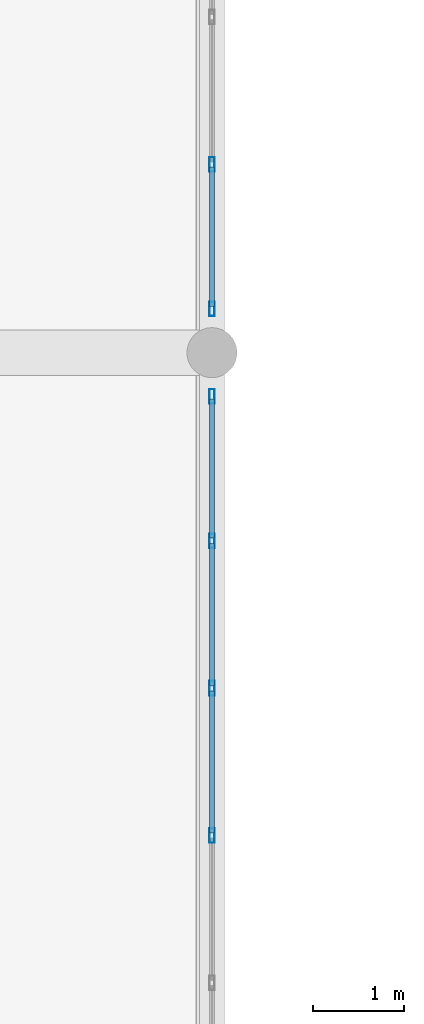
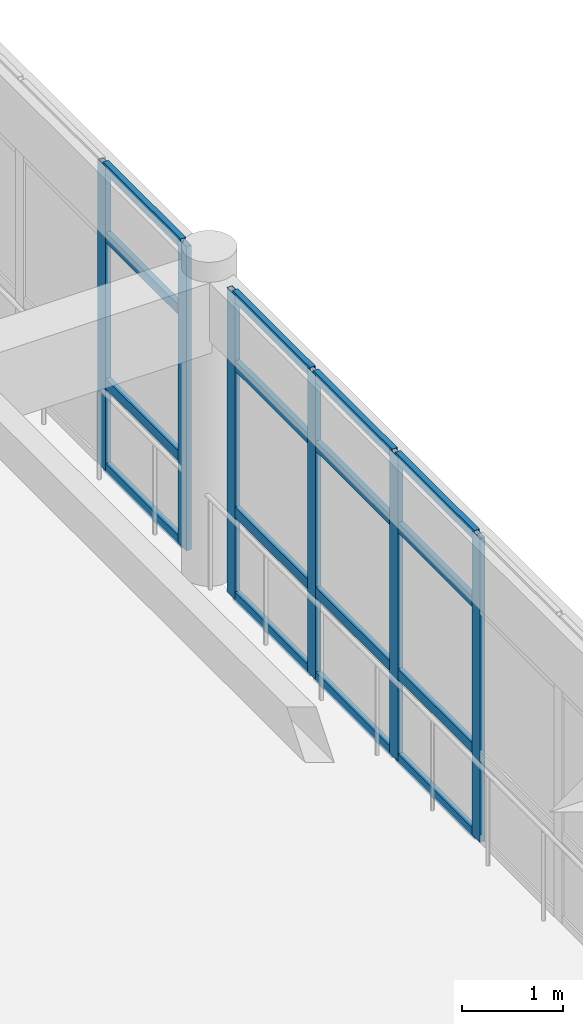
# One storey, part 32 of 156: 22 members, 2 elements without a shape of their own.
"""IFC4 building model written with IfcOpenShell, lengths in metres."""

from ifc_helpers import new_model, si_unit, direction, frame, origin, origin_2d, place, context, subcontext, project, spatial, hollow_rectangle, extrude, material, layer, layer_set, material_profile, profile_set, type_object, element, aggregate, save


model = new_model("IFC4")

# Units and contexts
model_context = context("Model", 3, precision=1e-05, world=origin(), true_north=direction((0.0, 1.0)))
body_context = subcontext(model_context, "Body", "Model", "MODEL_VIEW")
ifc_project = project(units=[si_unit("LENGTHUNIT", "METRE"), si_unit("AREAUNIT", "SQUARE_METRE"), si_unit("VOLUMEUNIT", "CUBIC_METRE"), si_unit("PLANEANGLEUNIT", "RADIAN"), si_unit("MASSUNIT", "GRAM", prefix="KILO")], contexts=[model_context])

# Site, building, storey
site_placement = place(None, origin())
site = spatial("IfcSite", under=ifc_project, at=site_placement, CompositionType="ELEMENT")
building_placement = place(site_placement, origin())
building = spatial("IfcBuilding", under=site, at=building_placement, Name="Ornek Quay Market", CompositionType="ELEMENT")
storey_placement = place(building_placement, frame((0.0, 0.0, 4.5)))
storey = spatial("IfcBuildingStorey", under=building, at=storey_placement, Name="L01", CompositionType="ELEMENT", Elevation=4.5)

# Curtain wall, members
ifc_material_1 = material(Name="Anodised bronze aluminium and triple low-e glass", Category="aluminium")
ifc_layer = layer(ifc_material_1, 0.139892578125, Name="Anodised bronze aluminium and triple low-e glass", Category="aluminium")
ifc_layer_set = layer_set([ifc_layer], Name="Anodised bronze aluminium and triple low-e glass")
curtain_wall_type = type_object("IfcCurtainWallType", Name="CW-GALLERY-INT", PredefinedType="USERDEFINED", material=ifc_layer_set)
curtain_wall_1_placement = place(storey_placement, origin())
curtain_wall_1 = element("IfcCurtainWall", 1, at=curtain_wall_1_placement, inside=storey, type_object=curtain_wall_type, Name="Curtain wall CW-098", ObjectType="CURTAIN WALL", PredefinedType="USERDEFINED")
ifc_material_2 = material(Name="Anodised aluminium 6063-T6", Category="aluminium")
ifc_material_profile_1 = material_profile(ifc_material_2, hollow_rectangle(XDim=0.06005859375, YDim=0.159912109375, WallThickness=0.00390625, at=origin_2d()), Name="CW-MUL-60x160", Category="aluminium")
ifc_profile_set_1 = profile_set([ifc_material_profile_1], Name="Anodised aluminium 6063-T6")
member_type_1 = type_object("IfcMemberType", Name="CW-MUL-60x160", PredefinedType="MULLION", material=ifc_profile_set_1)
member_1_placement = place(storey_placement, frame((72.0, 41.68994140625, 0.0), z_axis=(0.0, 0.0, 1.0), x_axis=(-1.0, 0.0, 0.0)))
member_1 = element("IfcMember", 2, at=member_1_placement, type_object=member_type_1, Name="CW-098 mullion 3", PredefinedType="MULLION", context=body_context, shape_type="SweptSolid", body=[
    extrude(hollow_rectangle(XDim=0.06005859375, YDim=0.159912109375, WallThickness=0.00390625, at=origin_2d()), origin(), (0.0, 0.0, 1.0), 3.659912109375),
])
member_2_placement = place(storey_placement, frame((72.0, 43.31005859375, 0.0), z_axis=(0.0, 0.0, 1.0), x_axis=(-1.0, 0.0, 0.0)))
member_2 = element("IfcMember", 3, at=member_2_placement, type_object=member_type_1, Name="CW-098 mullion 4", PredefinedType="MULLION", context=body_context, shape_type="SweptSolid", body=[
    extrude(hollow_rectangle(XDim=0.06005859375, YDim=0.159912109375, WallThickness=0.00390625, at=origin_2d()), origin(), (0.0, 0.0, 1.0), 3.659912109375),
])
member_3_placement = place(storey_placement, frame((72.0, 44.929931640625, 0.0), z_axis=(0.0, 0.0, 1.0), x_axis=(-1.0, 0.0, 0.0)))
member_3 = element("IfcMember", 4, at=member_3_placement, type_object=member_type_1, Name="CW-098 mullion 5", PredefinedType="MULLION", context=body_context, shape_type="SweptSolid", body=[
    extrude(hollow_rectangle(XDim=0.06005859375, YDim=0.159912109375, WallThickness=0.00390625, at=origin_2d()), origin(), (0.0, 0.0, 1.0), 3.659912109375),
])
member_4_placement = place(storey_placement, frame((72.0, 46.52001953125, 0.0), z_axis=(0.0, 0.0, 1.0), x_axis=(-1.0, 0.0, 0.0)))
member_4 = element("IfcMember", 5, at=member_4_placement, type_object=member_type_1, Name="CW-098 mullion 6", PredefinedType="MULLION", context=body_context, shape_type="SweptSolid", body=[
    extrude(hollow_rectangle(XDim=0.06005859375, YDim=0.159912109375, WallThickness=0.00390625, at=origin_2d()), origin(), (0.0, 0.0, 1.0), 3.659912109375),
])

curtain_wall_2_placement = place(storey_placement, origin())
curtain_wall_2 = element("IfcCurtainWall", 6, at=curtain_wall_2_placement, inside=storey, type_object=curtain_wall_type, Name="Curtain wall CW-099", ObjectType="CURTAIN WALL", PredefinedType="USERDEFINED")
member_5_placement = place(storey_placement, frame((72.0, 47.47998046875, 0.0), z_axis=(0.0, 0.0, 1.0), x_axis=(-1.0, 0.0, 0.0)))
member_5 = element("IfcMember", 7, at=member_5_placement, type_object=member_type_1, Name="CW-099 mullion 1", PredefinedType="MULLION", context=body_context, shape_type="SweptSolid", body=[
    extrude(hollow_rectangle(XDim=0.06005859375, YDim=0.159912109375, WallThickness=0.00390625, at=origin_2d()), origin(), (0.0, 0.0, 1.0), 3.659912109375),
])
member_6_placement = place(storey_placement, frame((72.0, 49.070068359375, 0.0), z_axis=(0.0, 0.0, 1.0), x_axis=(-1.0, 0.0, 0.0)))
member_6 = element("IfcMember", 8, at=member_6_placement, type_object=member_type_1, Name="CW-099 mullion 2", PredefinedType="MULLION", context=body_context, shape_type="SweptSolid", body=[
    extrude(hollow_rectangle(XDim=0.06005859375, YDim=0.159912109375, WallThickness=0.00390625, at=origin_2d()), origin(), (0.0, 0.0, 1.0), 3.659912109375),
])

# Member
ifc_material_profile_2 = material_profile(ifc_material_2, hollow_rectangle(XDim=0.06005859375, YDim=0.1201171875, WallThickness=0.00390625, at=origin_2d()), Name="CW-TRN-60x120", Category="aluminium")
ifc_profile_set_2 = profile_set([ifc_material_profile_2], Name="Anodised aluminium 6063-T6")
member_type_2 = type_object("IfcMemberType", Name="CW-TRN-60x120", PredefinedType="USERDEFINED", material=ifc_profile_set_2)
member_7_placement = place(storey_placement, frame((72.0, 41.719970703125, 0.030029296875), z_axis=(0.0, 1.0, 0.0), x_axis=(-1.0, 0.0, 0.0)))
member_7 = element("IfcMember", 9, at=member_7_placement, type_object=member_type_2, Name="CW-098 transom 3.1", ObjectType="TRANSOM", PredefinedType="USERDEFINED", context=body_context, shape_type="SweptSolid", body=[
    extrude(hollow_rectangle(XDim=0.06005859375, YDim=0.1201171875, WallThickness=0.00390625, at=origin_2d()), origin(), (0.0, 0.0, 1.0), 1.56005859375),
])

member_8_placement = place(storey_placement, frame((72.0, 41.719970703125, 1.050048828125), z_axis=(0.0, 1.0, 0.0), x_axis=(-1.0, 0.0, 0.0)))
member_8 = element("IfcMember", 10, at=member_8_placement, type_object=member_type_2, Name="CW-098 transom 3.2", ObjectType="TRANSOM", PredefinedType="USERDEFINED", context=body_context, shape_type="SweptSolid", body=[
    extrude(hollow_rectangle(XDim=0.06005859375, YDim=0.1201171875, WallThickness=0.00390625, at=origin_2d()), origin(), (0.0, 0.0, 1.0), 1.56005859375),
])

member_9_placement = place(storey_placement, frame((72.0, 41.719970703125, 2.81005859375), z_axis=(0.0, 1.0, 0.0), x_axis=(-1.0, 0.0, 0.0)))
member_9 = element("IfcMember", 11, at=member_9_placement, type_object=member_type_2, Name="CW-098 transom 3.3", ObjectType="TRANSOM", PredefinedType="USERDEFINED", context=body_context, shape_type="SweptSolid", body=[
    extrude(hollow_rectangle(XDim=0.06005859375, YDim=0.1201171875, WallThickness=0.00390625, at=origin_2d()), origin(), (0.0, 0.0, 1.0), 1.56005859375),
])

member_10_placement = place(storey_placement, frame((72.0, 41.719970703125, 3.6298828125), z_axis=(0.0, 1.0, 0.0), x_axis=(-1.0, 0.0, 0.0)))
member_10 = element("IfcMember", 12, at=member_10_placement, type_object=member_type_2, Name="CW-098 transom 3.4", ObjectType="TRANSOM", PredefinedType="USERDEFINED", context=body_context, shape_type="SweptSolid", body=[
    extrude(hollow_rectangle(XDim=0.06005859375, YDim=0.1201171875, WallThickness=0.00390625, at=origin_2d()), origin(), (0.0, 0.0, 1.0), 1.56005859375),
])

member_11_placement = place(storey_placement, frame((72.0, 43.340087890625, 0.030029296875), z_axis=(0.0, 1.0, 0.0), x_axis=(-1.0, 0.0, 0.0)))
member_11 = element("IfcMember", 13, at=member_11_placement, type_object=member_type_2, Name="CW-098 transom 4.1", ObjectType="TRANSOM", PredefinedType="USERDEFINED", context=body_context, shape_type="SweptSolid", body=[
    extrude(hollow_rectangle(XDim=0.06005859375, YDim=0.1201171875, WallThickness=0.00390625, at=origin_2d()), origin(), (0.0, 0.0, 1.0), 1.559814453125),
])

member_12_placement = place(storey_placement, frame((72.0, 43.340087890625, 1.050048828125), z_axis=(0.0, 1.0, 0.0), x_axis=(-1.0, 0.0, 0.0)))
member_12 = element("IfcMember", 14, at=member_12_placement, type_object=member_type_2, Name="CW-098 transom 4.2", ObjectType="TRANSOM", PredefinedType="USERDEFINED", context=body_context, shape_type="SweptSolid", body=[
    extrude(hollow_rectangle(XDim=0.06005859375, YDim=0.1201171875, WallThickness=0.00390625, at=origin_2d()), origin(), (0.0, 0.0, 1.0), 1.559814453125),
])

member_13_placement = place(storey_placement, frame((72.0, 43.340087890625, 2.81005859375), z_axis=(0.0, 1.0, 0.0), x_axis=(-1.0, 0.0, 0.0)))
member_13 = element("IfcMember", 15, at=member_13_placement, type_object=member_type_2, Name="CW-098 transom 4.3", ObjectType="TRANSOM", PredefinedType="USERDEFINED", context=body_context, shape_type="SweptSolid", body=[
    extrude(hollow_rectangle(XDim=0.06005859375, YDim=0.1201171875, WallThickness=0.00390625, at=origin_2d()), origin(), (0.0, 0.0, 1.0), 1.559814453125),
])

member_14_placement = place(storey_placement, frame((72.0, 43.340087890625, 3.6298828125), z_axis=(0.0, 1.0, 0.0), x_axis=(-1.0, 0.0, 0.0)))
member_14 = element("IfcMember", 16, at=member_14_placement, type_object=member_type_2, Name="CW-098 transom 4.4", ObjectType="TRANSOM", PredefinedType="USERDEFINED", context=body_context, shape_type="SweptSolid", body=[
    extrude(hollow_rectangle(XDim=0.06005859375, YDim=0.1201171875, WallThickness=0.00390625, at=origin_2d()), origin(), (0.0, 0.0, 1.0), 1.559814453125),
])

member_15_placement = place(storey_placement, frame((72.0, 44.9599609375, 0.030029296875), z_axis=(0.0, 1.0, 0.0), x_axis=(-1.0, 0.0, 0.0)))
member_15 = element("IfcMember", 17, at=member_15_placement, type_object=member_type_2, Name="CW-098 transom 5.1", ObjectType="TRANSOM", PredefinedType="USERDEFINED", context=body_context, shape_type="SweptSolid", body=[
    extrude(hollow_rectangle(XDim=0.06005859375, YDim=0.1201171875, WallThickness=0.00390625, at=origin_2d()), origin(), (0.0, 0.0, 1.0), 1.530029296875),
])

member_16_placement = place(storey_placement, frame((72.0, 44.9599609375, 1.050048828125), z_axis=(0.0, 1.0, 0.0), x_axis=(-1.0, 0.0, 0.0)))
member_16 = element("IfcMember", 18, at=member_16_placement, type_object=member_type_2, Name="CW-098 transom 5.2", ObjectType="TRANSOM", PredefinedType="USERDEFINED", context=body_context, shape_type="SweptSolid", body=[
    extrude(hollow_rectangle(XDim=0.06005859375, YDim=0.1201171875, WallThickness=0.00390625, at=origin_2d()), origin(), (0.0, 0.0, 1.0), 1.530029296875),
])

member_17_placement = place(storey_placement, frame((72.0, 44.9599609375, 2.81005859375), z_axis=(0.0, 1.0, 0.0), x_axis=(-1.0, 0.0, 0.0)))
member_17 = element("IfcMember", 19, at=member_17_placement, type_object=member_type_2, Name="CW-098 transom 5.3", ObjectType="TRANSOM", PredefinedType="USERDEFINED", context=body_context, shape_type="SweptSolid", body=[
    extrude(hollow_rectangle(XDim=0.06005859375, YDim=0.1201171875, WallThickness=0.00390625, at=origin_2d()), origin(), (0.0, 0.0, 1.0), 1.530029296875),
])

member_18_placement = place(storey_placement, frame((72.0, 44.9599609375, 3.6298828125), z_axis=(0.0, 1.0, 0.0), x_axis=(-1.0, 0.0, 0.0)))
member_18 = element("IfcMember", 20, at=member_18_placement, type_object=member_type_2, Name="CW-098 transom 5.4", ObjectType="TRANSOM", PredefinedType="USERDEFINED", context=body_context, shape_type="SweptSolid", body=[
    extrude(hollow_rectangle(XDim=0.06005859375, YDim=0.1201171875, WallThickness=0.00390625, at=origin_2d()), origin(), (0.0, 0.0, 1.0), 1.530029296875),
])

aggregate(curtain_wall_1, [member_1, member_2, member_3, member_4, member_7, member_8, member_9, member_10, member_11, member_12, member_13, member_14, member_15, member_16, member_17, member_18])

member_19_placement = place(storey_placement, frame((72.0, 47.510009765625, 0.030029296875), z_axis=(0.0, 1.0, 0.0), x_axis=(-1.0, 0.0, 0.0)))
member_19 = element("IfcMember", 21, at=member_19_placement, type_object=member_type_2, Name="CW-099 transom 1.1", ObjectType="TRANSOM", PredefinedType="USERDEFINED", context=body_context, shape_type="SweptSolid", body=[
    extrude(hollow_rectangle(XDim=0.06005859375, YDim=0.1201171875, WallThickness=0.00390625, at=origin_2d()), origin(), (0.0, 0.0, 1.0), 1.530029296875),
])

member_20_placement = place(storey_placement, frame((72.0, 47.510009765625, 1.050048828125), z_axis=(0.0, 1.0, 0.0), x_axis=(-1.0, 0.0, 0.0)))
member_20 = element("IfcMember", 22, at=member_20_placement, type_object=member_type_2, Name="CW-099 transom 1.2", ObjectType="TRANSOM", PredefinedType="USERDEFINED", context=body_context, shape_type="SweptSolid", body=[
    extrude(hollow_rectangle(XDim=0.06005859375, YDim=0.1201171875, WallThickness=0.00390625, at=origin_2d()), origin(), (0.0, 0.0, 1.0), 1.530029296875),
])

member_21_placement = place(storey_placement, frame((72.0, 47.510009765625, 2.81005859375), z_axis=(0.0, 1.0, 0.0), x_axis=(-1.0, 0.0, 0.0)))
member_21 = element("IfcMember", 23, at=member_21_placement, type_object=member_type_2, Name="CW-099 transom 1.3", ObjectType="TRANSOM", PredefinedType="USERDEFINED", context=body_context, shape_type="SweptSolid", body=[
    extrude(hollow_rectangle(XDim=0.06005859375, YDim=0.1201171875, WallThickness=0.00390625, at=origin_2d()), origin(), (0.0, 0.0, 1.0), 1.530029296875),
])

member_22_placement = place(storey_placement, frame((72.0, 47.510009765625, 3.6298828125), z_axis=(0.0, 1.0, 0.0), x_axis=(-1.0, 0.0, 0.0)))
member_22 = element("IfcMember", 24, at=member_22_placement, type_object=member_type_2, Name="CW-099 transom 1.4", ObjectType="TRANSOM", PredefinedType="USERDEFINED", context=body_context, shape_type="SweptSolid", body=[
    extrude(hollow_rectangle(XDim=0.06005859375, YDim=0.1201171875, WallThickness=0.00390625, at=origin_2d()), origin(), (0.0, 0.0, 1.0), 1.530029296875),
])

aggregate(curtain_wall_2, [member_5, member_6, member_19, member_20, member_21, member_22])

save(model, "model.ifc")
